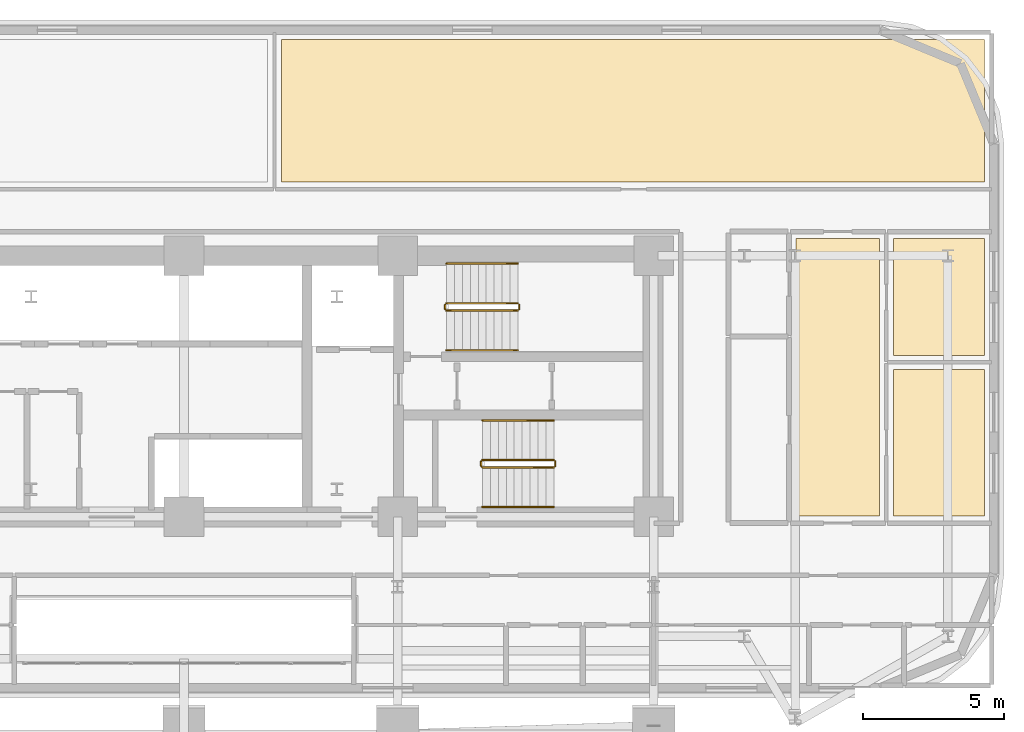
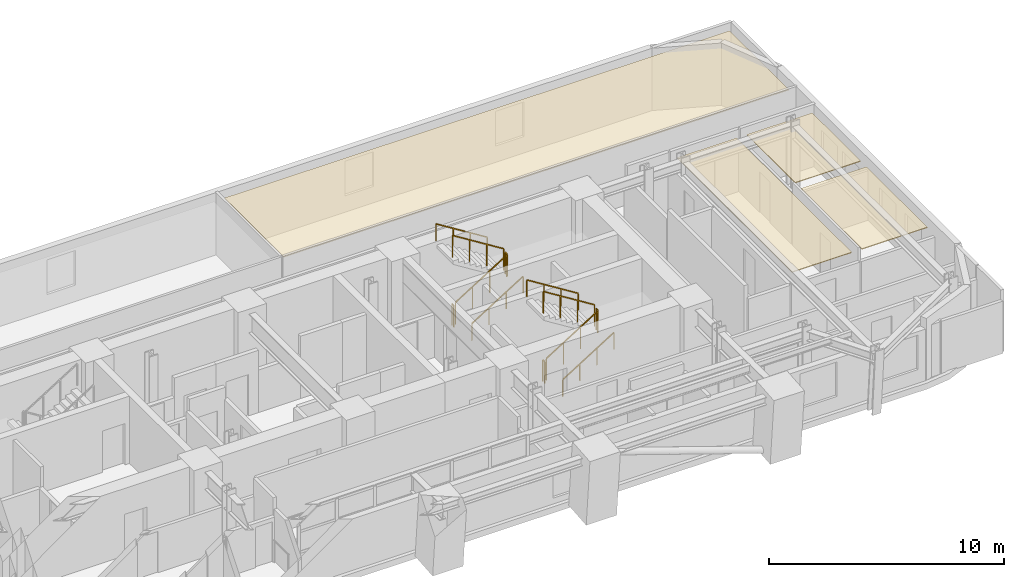
# One storey, part 16 of 16: 12 railings, 4 coverings.
"""IFC4 building model written with IfcOpenShell, lengths in metres."""

from ifc_helpers import new_model, si_unit, direction, frame, origin, origin_2d, place, context, subcontext, project, spatial, polyline, rectangle, outline, extrude, material, layer, layer_set, type_object, element, save


model = new_model("IFC4")

# Units and contexts
model_context = context("Model", 3, precision=1e-05, world=origin(), true_north=direction((0.0, 1.0)))
body_context = subcontext(model_context, "Body", "Model", "MODEL_VIEW")
ifc_project = project(units=[si_unit("LENGTHUNIT", "METRE"), si_unit("AREAUNIT", "SQUARE_METRE"), si_unit("VOLUMEUNIT", "CUBIC_METRE"), si_unit("PLANEANGLEUNIT", "RADIAN"), si_unit("MASSUNIT", "GRAM", prefix="KILO")], contexts=[model_context])

# Site, building, storey
site_placement = place(None, origin())
site = spatial("IfcSite", under=ifc_project, at=site_placement, CompositionType="ELEMENT")
building_placement = place(site_placement, origin())
building = spatial("IfcBuilding", under=site, at=building_placement, Name="Zarnavel Station Tower", CompositionType="ELEMENT")
storey_placement = place(building_placement, frame((0.0, 0.0, 64.0)))
storey = spatial("IfcBuildingStorey", under=building, at=storey_placement, Name="L17", CompositionType="ELEMENT", Elevation=64.0)

# Coverings
ifc_material_1 = material(Name="Perforated Gypsum and Mineral-Wool Acoustic Ceiling", Category="concrete")
ifc_layer = layer(ifc_material_1, 0.0400390625)
ifc_layer_set = layer_set([ifc_layer], Name="COV_CEIL_ACOUSTIC")
covering_type = type_object("IfcCoveringType", Name="COV_CEIL_ACOUSTIC", PredefinedType="CEILING", material=ifc_layer_set)
covering_1_placement = place(storey_placement, frame((0.0, 0.0, 2.919921875)))
element("IfcCovering", 1, at=covering_1_placement, inside=storey, type_object=covering_type, Name="L17 FNELV Acoustic Ceiling", PredefinedType="CEILING", context=body_context, shape_type="SweptSolid", body=[
    extrude(outline(polyline([(50.43701171875, 27.85009765625), (53.3740234375, 27.85009765625), (53.3740234375, 37.64990234375), (50.43701171875, 37.64990234375), (50.43701171875, 27.85009765625)])), origin(), (0.0, 0.0, 1.0), 0.0400390625),
])
covering_2_placement = place(storey_placement, frame((0.0, 0.0, 2.919921875)))
element("IfcCovering", 2, at=covering_2_placement, inside=storey, type_object=covering_type, Name="L17 FNEB1 Acoustic Ceiling", PredefinedType="CEILING", context=body_context, shape_type="SweptSolid", body=[
    extrude(outline(polyline([(53.8740234375, 27.85009765625), (57.090087890625, 27.85009765625), (57.090087890625, 33.029052734375), (53.8740234375, 33.029052734375), (53.8740234375, 27.85009765625)])), origin(), (0.0, 0.0, 1.0), 0.0400390625),
])
covering_3_placement = place(storey_placement, frame((0.0, 0.0, 2.919921875)))
element("IfcCovering", 3, at=covering_3_placement, inside=storey, type_object=covering_type, Name="L17 FNEB2 Acoustic Ceiling", PredefinedType="CEILING", context=body_context, shape_type="SweptSolid", body=[
    extrude(outline(polyline([(53.8740234375, 33.529052734375), (57.090087890625, 33.529052734375), (57.090087890625, 37.64990234375), (53.8740234375, 37.64990234375), (53.8740234375, 33.529052734375)])), origin(), (0.0, 0.0, 1.0), 0.0400390625),
])
covering_4_placement = place(storey_placement, frame((0.0, 0.0, 2.919921875)))
element("IfcCovering", 4, at=covering_4_placement, inside=storey, type_object=covering_type, Name="L17 NL5B Acoustic Ceiling", PredefinedType="CEILING", context=body_context, shape_type="SweptSolid", body=[
    extrude(outline(polyline([(32.25, 39.64990234375), (57.090087890625, 39.64990234375), (57.090087890625, 44.68994140625), (32.25, 44.68994140625), (32.25, 39.64990234375)])), origin(), (0.0, 0.0, 1.0), 0.0400390625),
])

# Railings
ifc_material_2 = material(Name="Painted Steel S355J2 Balustrade", Category="steel")
railing_type_1 = type_object("IfcRailingType", Name="GR_INT_1150", PredefinedType="GUARDRAIL", material=ifc_material_2)
railing_1_placement = place(storey_placement, frame((38.080078125, 35.110107421875, 0.175048828125)))
element("IfcRailing", 5, at=railing_1_placement, inside=storey, type_object=railing_type_1, Name="L17 ST2 stair guard 1", PredefinedType="GUARDRAIL", context=body_context, shape_type="SweptSolid", body=[
    extrude(rectangle(XDim=0.048095703125, YDim=0.048095703125, at=origin_2d()), frame((0.001708984375, 0.0, 1.126953125), z_axis=(0.848007534815, 0.0, 0.529984170421), x_axis=(0.0, 1.0, 0.0)), (0.0, 0.0, 1.0), 2.9677734375),
    extrude(rectangle(XDim=0.0419921875, YDim=0.0419921875, at=origin_2d()), origin(), (0.0, 0.0, 1.0), 1.101806640625),
    extrude(rectangle(XDim=0.0419921875, YDim=0.0419921875, at=origin_2d()), frame((0.840087890625, 0.0, 0.52490234375)), (0.0, 0.0, 1.0), 1.101806640625),
    extrude(rectangle(XDim=0.0419921875, YDim=0.0419921875, at=origin_2d()), frame((1.679931640625, 0.0, 1.050048828125)), (0.0, 0.0, 1.0), 1.101806640625),
    extrude(rectangle(XDim=0.0419921875, YDim=0.0419921875, at=origin_2d()), frame((2.52001953125, 0.0, 1.574951171875)), (0.0, 0.0, 1.0), 1.101806640625),
])
railing_2_placement = place(storey_placement, frame((40.64990234375, 35.159912109375, 1.75)))
element("IfcRailing", 6, at=railing_2_placement, inside=storey, type_object=railing_type_1, Name="L17 ST2 stair guard 2", PredefinedType="GUARDRAIL", context=body_context, shape_type="SweptSolid", body=[
    extrude(rectangle(XDim=0.048095703125, YDim=0.048095703125, at=origin_2d()), frame((0.0, 0.001953125, 1.1259765625), z_axis=(0.0, 1.0, 0.0), x_axis=(-1.0, 0.0, 0.0)), (0.0, 0.0, 1.0), 0.15625),
    extrude(rectangle(XDim=0.0419921875, YDim=0.0419921875, at=origin_2d()), origin(), (0.0, 0.0, 1.0), 1.101806640625),
    extrude(rectangle(XDim=0.0419921875, YDim=0.0419921875, at=origin_2d()), frame((0.0, 0.16015625, 0.0)), (0.0, 0.0, 1.0), 1.101806640625),
])
railing_3_placement = place(storey_placement, frame((40.60009765625, 35.3701171875, 1.925048828125)))
element("IfcRailing", 7, at=railing_3_placement, inside=storey, type_object=railing_type_1, Name="L17 ST2 stair guard 3", PredefinedType="GUARDRAIL", context=body_context, shape_type="SweptSolid", body=[
    extrude(rectangle(XDim=0.048095703125, YDim=0.048095703125, at=origin_2d()), frame((-0.001708984375, 0.0, 1.126953125), z_axis=(-0.848007534815, 0.0, 0.529984170421), x_axis=(0.0, -1.0, 0.0)), (0.0, 0.0, 1.0), 2.9677734375),
    extrude(rectangle(XDim=0.0419921875, YDim=0.0419921875, at=origin_2d()), origin(), (0.0, 0.0, 1.0), 1.101806640625),
    extrude(rectangle(XDim=0.0419921875, YDim=0.0419921875, at=origin_2d()), frame((-0.840087890625, 0.0, 0.52490234375)), (0.0, 0.0, 1.0), 1.101806640625),
    extrude(rectangle(XDim=0.0419921875, YDim=0.0419921875, at=origin_2d()), frame((-1.679931640625, 0.0, 1.050048828125)), (0.0, 0.0, 1.0), 1.101806640625),
    extrude(rectangle(XDim=0.0419921875, YDim=0.0419921875, at=origin_2d()), frame((-2.52001953125, 0.0, 1.574951171875)), (0.0, 0.0, 1.0), 1.101806640625),
])
railing_4_placement = place(storey_placement, frame((38.030029296875, 35.159912109375, 0.0)))
element("IfcRailing", 8, at=railing_4_placement, inside=storey, type_object=railing_type_1, Name="L17 ST2 stair guard 4", PredefinedType="GUARDRAIL", context=body_context, shape_type="SweptSolid", body=[
    extrude(rectangle(XDim=0.048095703125, YDim=0.048095703125, at=origin_2d()), frame((0.0, 0.001953125, 1.1259765625), z_axis=(0.0, 1.0, 0.0), x_axis=(-1.0, 0.0, 0.0)), (0.0, 0.0, 1.0), 0.15625),
    extrude(rectangle(XDim=0.0419921875, YDim=0.0419921875, at=origin_2d()), origin(), (0.0, 0.0, 1.0), 1.101806640625),
    extrude(rectangle(XDim=0.0419921875, YDim=0.0419921875, at=origin_2d()), frame((0.0, 0.16015625, 0.0)), (0.0, 0.0, 1.0), 1.101806640625),
])
railing_5_placement = place(storey_placement, frame((39.35009765625, 29.570068359375, 0.175048828125)))
element("IfcRailing", 9, at=railing_5_placement, inside=storey, type_object=railing_type_1, Name="L17 ST3 stair guard 1", PredefinedType="GUARDRAIL", context=body_context, shape_type="SweptSolid", body=[
    extrude(rectangle(XDim=0.048095703125, YDim=0.048095703125, at=origin_2d()), frame((0.001708984375, 0.0, 1.126953125), z_axis=(0.848007534815, 0.0, 0.529984170421), x_axis=(0.0, 1.0, 0.0)), (0.0, 0.0, 1.0), 2.9677734375),
    extrude(rectangle(XDim=0.0419921875, YDim=0.0419921875, at=origin_2d()), origin(), (0.0, 0.0, 1.0), 1.101806640625),
    extrude(rectangle(XDim=0.0419921875, YDim=0.0419921875, at=origin_2d()), frame((0.840087890625, 0.0, 0.52490234375)), (0.0, 0.0, 1.0), 1.101806640625),
    extrude(rectangle(XDim=0.0419921875, YDim=0.0419921875, at=origin_2d()), frame((1.679931640625, 0.0, 1.050048828125)), (0.0, 0.0, 1.0), 1.101806640625),
    extrude(rectangle(XDim=0.0419921875, YDim=0.0419921875, at=origin_2d()), frame((2.52001953125, 0.0, 1.574951171875)), (0.0, 0.0, 1.0), 1.101806640625),
])
railing_6_placement = place(storey_placement, frame((41.919921875, 29.6201171875, 1.75)))
element("IfcRailing", 10, at=railing_6_placement, inside=storey, type_object=railing_type_1, Name="L17 ST3 stair guard 2", PredefinedType="GUARDRAIL", context=body_context, shape_type="SweptSolid", body=[
    extrude(rectangle(XDim=0.048095703125, YDim=0.048095703125, at=origin_2d()), frame((0.0, 0.001953125, 1.1259765625), z_axis=(0.0, 1.0, 0.0), x_axis=(-1.0, 0.0, 0.0)), (0.0, 0.0, 1.0), 0.156005859375),
    extrude(rectangle(XDim=0.0419921875, YDim=0.0419921875, at=origin_2d()), origin(), (0.0, 0.0, 1.0), 1.101806640625),
    extrude(rectangle(XDim=0.0419921875, YDim=0.0419921875, at=origin_2d()), frame((0.0, 0.159912109375, 0.0)), (0.0, 0.0, 1.0), 1.101806640625),
])
railing_7_placement = place(storey_placement, frame((41.8701171875, 29.830078125, 1.925048828125)))
element("IfcRailing", 11, at=railing_7_placement, inside=storey, type_object=railing_type_1, Name="L17 ST3 stair guard 3", PredefinedType="GUARDRAIL", context=body_context, shape_type="SweptSolid", body=[
    extrude(rectangle(XDim=0.048095703125, YDim=0.048095703125, at=origin_2d()), frame((-0.001708984375, 0.0, 1.126953125), z_axis=(-0.848007534815, 0.0, 0.529984170421), x_axis=(0.0, -1.0, 0.0)), (0.0, 0.0, 1.0), 2.9677734375),
    extrude(rectangle(XDim=0.0419921875, YDim=0.0419921875, at=origin_2d()), origin(), (0.0, 0.0, 1.0), 1.101806640625),
    extrude(rectangle(XDim=0.0419921875, YDim=0.0419921875, at=origin_2d()), frame((-0.840087890625, 0.0, 0.52490234375)), (0.0, 0.0, 1.0), 1.101806640625),
    extrude(rectangle(XDim=0.0419921875, YDim=0.0419921875, at=origin_2d()), frame((-1.679931640625, 0.0, 1.050048828125)), (0.0, 0.0, 1.0), 1.101806640625),
    extrude(rectangle(XDim=0.0419921875, YDim=0.0419921875, at=origin_2d()), frame((-2.52001953125, 0.0, 1.574951171875)), (0.0, 0.0, 1.0), 1.101806640625),
])
railing_8_placement = place(storey_placement, frame((39.300048828125, 29.6201171875, 0.0)))
element("IfcRailing", 12, at=railing_8_placement, inside=storey, type_object=railing_type_1, Name="L17 ST3 stair guard 4", PredefinedType="GUARDRAIL", context=body_context, shape_type="SweptSolid", body=[
    extrude(rectangle(XDim=0.048095703125, YDim=0.048095703125, at=origin_2d()), frame((0.0, 0.001953125, 1.1259765625), z_axis=(0.0, 1.0, 0.0), x_axis=(-1.0, 0.0, 0.0)), (0.0, 0.0, 1.0), 0.156005859375),
    extrude(rectangle(XDim=0.0419921875, YDim=0.0419921875, at=origin_2d()), origin(), (0.0, 0.0, 1.0), 1.101806640625),
    extrude(rectangle(XDim=0.0419921875, YDim=0.0419921875, at=origin_2d()), frame((0.0, 0.159912109375, 0.0)), (0.0, 0.0, 1.0), 1.101806640625),
])
ifc_material_3 = material(Name="Brushed Stainless Steel S355J2 Handrail", Category="steel")
railing_type_2 = type_object("IfcRailingType", Name="HR_STAIR_900", PredefinedType="HANDRAIL", material=ifc_material_3)
railing_9_placement = place(storey_placement, frame((38.080078125, 33.7099609375, 0.175048828125)))
element("IfcRailing", 13, at=railing_9_placement, inside=storey, type_object=railing_type_2, Name="L17 ST2 stair handrail 1", PredefinedType="HANDRAIL", context=body_context, shape_type="SweptSolid", body=[
    extrude(rectangle(XDim=0.048095703125, YDim=0.048095703125, at=origin_2d()), frame((0.001708984375, 0.0, 0.876953125), z_axis=(0.848007534815, 0.0, 0.529984170421), x_axis=(0.0, 1.0, 0.0)), (0.0, 0.0, 1.0), 2.9677734375),
    extrude(rectangle(XDim=0.0419921875, YDim=0.0419921875, at=origin_2d()), origin(), (0.0, 0.0, 1.0), 0.851806640625),
    extrude(rectangle(XDim=0.0419921875, YDim=0.0419921875, at=origin_2d()), frame((0.840087890625, 0.0, 0.52490234375)), (0.0, 0.0, 1.0), 0.851806640625),
    extrude(rectangle(XDim=0.0419921875, YDim=0.0419921875, at=origin_2d()), frame((1.679931640625, 0.0, 1.050048828125)), (0.0, 0.0, 1.0), 0.851806640625),
    extrude(rectangle(XDim=0.0419921875, YDim=0.0419921875, at=origin_2d()), frame((2.52001953125, 0.0, 1.574951171875)), (0.0, 0.0, 1.0), 0.851806640625),
])
railing_10_placement = place(storey_placement, frame((40.60009765625, 36.77001953125, 1.925048828125)))
element("IfcRailing", 14, at=railing_10_placement, inside=storey, type_object=railing_type_2, Name="L17 ST2 stair handrail 2", PredefinedType="HANDRAIL", context=body_context, shape_type="SweptSolid", body=[
    extrude(rectangle(XDim=0.048095703125, YDim=0.048095703125, at=origin_2d()), frame((-0.001708984375, 0.0, 0.876953125), z_axis=(-0.848007534815, 0.0, 0.529984170421), x_axis=(0.0, -1.0, 0.0)), (0.0, 0.0, 1.0), 2.9677734375),
    extrude(rectangle(XDim=0.0419921875, YDim=0.0419921875, at=origin_2d()), origin(), (0.0, 0.0, 1.0), 0.851806640625),
    extrude(rectangle(XDim=0.0419921875, YDim=0.0419921875, at=origin_2d()), frame((-0.840087890625, 0.0, 0.52490234375)), (0.0, 0.0, 1.0), 0.851806640625),
    extrude(rectangle(XDim=0.0419921875, YDim=0.0419921875, at=origin_2d()), frame((-1.679931640625, 0.0, 1.050048828125)), (0.0, 0.0, 1.0), 0.851806640625),
    extrude(rectangle(XDim=0.0419921875, YDim=0.0419921875, at=origin_2d()), frame((-2.52001953125, 0.0, 1.574951171875)), (0.0, 0.0, 1.0), 0.851806640625),
])
railing_11_placement = place(storey_placement, frame((39.35009765625, 28.169921875, 0.175048828125)))
element("IfcRailing", 15, at=railing_11_placement, inside=storey, type_object=railing_type_2, Name="L17 ST3 stair handrail 1", PredefinedType="HANDRAIL", context=body_context, shape_type="SweptSolid", body=[
    extrude(rectangle(XDim=0.048095703125, YDim=0.048095703125, at=origin_2d()), frame((0.001708984375, 0.0, 0.876953125), z_axis=(0.848007534815, 0.0, 0.529984170421), x_axis=(0.0, 1.0, 0.0)), (0.0, 0.0, 1.0), 2.9677734375),
    extrude(rectangle(XDim=0.0419921875, YDim=0.0419921875, at=origin_2d()), origin(), (0.0, 0.0, 1.0), 0.851806640625),
    extrude(rectangle(XDim=0.0419921875, YDim=0.0419921875, at=origin_2d()), frame((0.840087890625, 0.0, 0.52490234375)), (0.0, 0.0, 1.0), 0.851806640625),
    extrude(rectangle(XDim=0.0419921875, YDim=0.0419921875, at=origin_2d()), frame((1.679931640625, 0.0, 1.050048828125)), (0.0, 0.0, 1.0), 0.851806640625),
    extrude(rectangle(XDim=0.0419921875, YDim=0.0419921875, at=origin_2d()), frame((2.52001953125, 0.0, 1.574951171875)), (0.0, 0.0, 1.0), 0.851806640625),
])
railing_12_placement = place(storey_placement, frame((41.8701171875, 31.22998046875, 1.925048828125)))
element("IfcRailing", 16, at=railing_12_placement, inside=storey, type_object=railing_type_2, Name="L17 ST3 stair handrail 2", PredefinedType="HANDRAIL", context=body_context, shape_type="SweptSolid", body=[
    extrude(rectangle(XDim=0.048095703125, YDim=0.048095703125, at=origin_2d()), frame((-0.001708984375, 0.0, 0.876953125), z_axis=(-0.848007534815, 0.0, 0.529984170421), x_axis=(0.0, -1.0, 0.0)), (0.0, 0.0, 1.0), 2.9677734375),
    extrude(rectangle(XDim=0.0419921875, YDim=0.0419921875, at=origin_2d()), origin(), (0.0, 0.0, 1.0), 0.851806640625),
    extrude(rectangle(XDim=0.0419921875, YDim=0.0419921875, at=origin_2d()), frame((-0.840087890625, 0.0, 0.52490234375)), (0.0, 0.0, 1.0), 0.851806640625),
    extrude(rectangle(XDim=0.0419921875, YDim=0.0419921875, at=origin_2d()), frame((-1.679931640625, 0.0, 1.050048828125)), (0.0, 0.0, 1.0), 0.851806640625),
    extrude(rectangle(XDim=0.0419921875, YDim=0.0419921875, at=origin_2d()), frame((-2.52001953125, 0.0, 1.574951171875)), (0.0, 0.0, 1.0), 0.851806640625),
])

save(model, "model.ifc")
